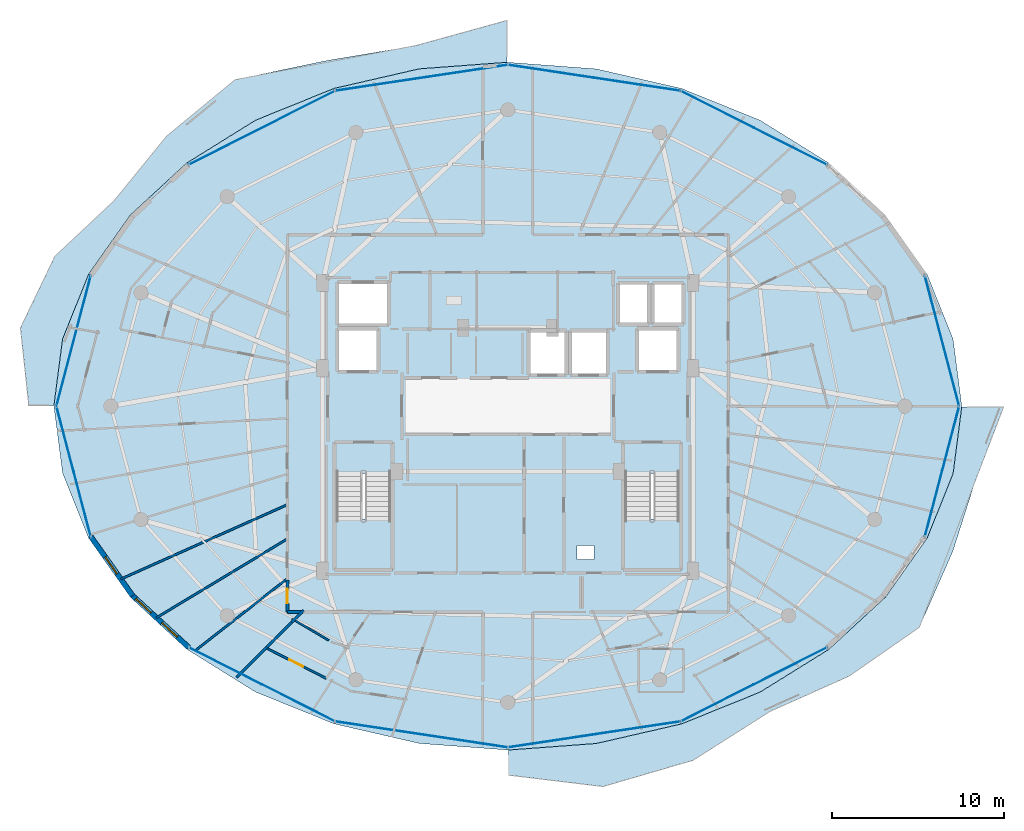
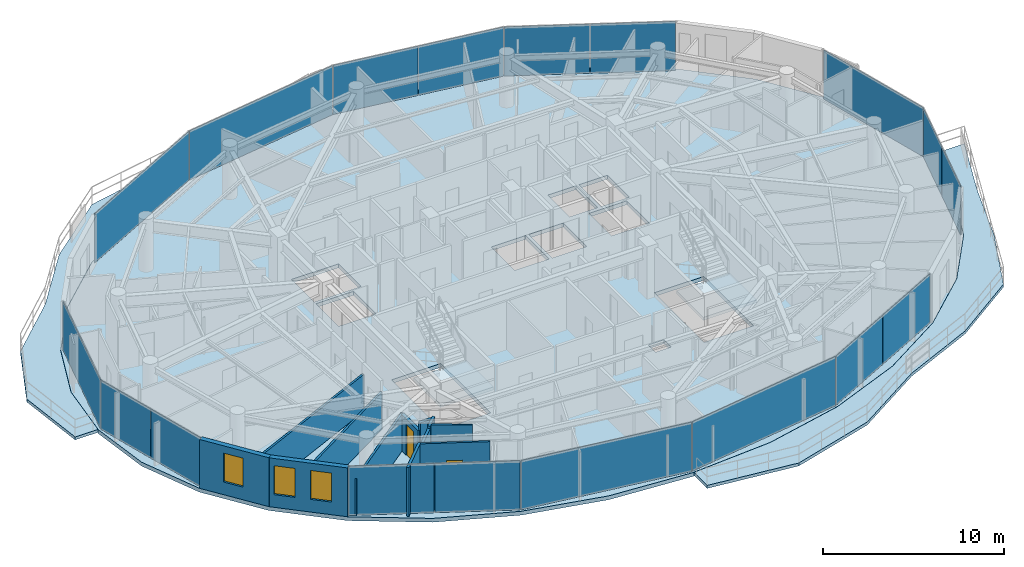
# One storey, part 20 of 30: 18 plates, 12 walls, 5 slabs, 3 windows, 2 doors, 5 openings, 6 elements without a shape of their own.
"""IFC4 building model written with IfcOpenShell, lengths in metres."""

import ifcopenshell
import ifcopenshell.guid

model = None  # the IFC model being written
_history = None  # IfcOwnerHistory: only IFC2X3 demands one
_inside = {}  # id of a spatial element -> (the spatial element, [elements in it])
_under = {}  # id of a project, library or spatial element -> (it, [spatial elements below it])
_declared = {}  # id of a project -> (the project, [libraries it declares])
_typed = {}  # id of a type object -> (the type object, [elements of that type])
_made_of = {}  # id of a material, layer set ... -> (it, [elements and type objects made of it])


def new_model(schema):
    """Start an empty IFC model of exactly this schema.

    Asked for "IFC4X3", IfcOpenShell would pick the latest addendum, in which some entities
    have other attributes; the version numbers below select the first issue.
    IFC2X3 requires an IfcOwnerHistory on every rooted entity: one is made here for all.
    """
    global model, _history
    if schema == "IFC4X3":
        model = ifcopenshell.file(schema_version=(4, 3, 0, 0))
    else:
        model = ifcopenshell.file(schema=schema)
    _inside.clear()
    _under.clear()
    _declared.clear()
    _typed.clear()
    _made_of.clear()
    _history = None
    if model.schema == "IFC2X3":
        org = make("IfcOrganization", Name="unknown")
        user = make(
            "IfcPersonAndOrganization",
            ThePerson=make("IfcPerson", FamilyName="unknown"),
            TheOrganization=org,
        )
        app = make(
            "IfcApplication",
            ApplicationDeveloper=org,
            Version="unknown",
            ApplicationFullName="unknown",
            ApplicationIdentifier="unknown",
        )
        _history = make(
            "IfcOwnerHistory",
            OwningUser=user,
            OwningApplication=app,
            ChangeAction="ADDED",
            CreationDate=0,
        )
    return model


def make(cls, **values):
    """One entity of the class cls with the attributes given. An attribute that is None is left unset."""
    return model.create_entity(
        cls, **{name: value for name, value in values.items() if value is not None}
    )


def rooted(cls, **values):
    """An entity with a GlobalId (a new one), such as an element, a storey or a relation."""
    return make(cls, GlobalId=ifcopenshell.guid.new(), OwnerHistory=_history, **values)


def si_unit(unit_type, name, prefix=None):
    """IfcSIUnit, for example si_unit("LENGTHUNIT", "METRE", prefix="MILLI")."""
    return make("IfcSIUnit", UnitType=unit_type, Prefix=prefix, Name=name)


def assignment(units):
    """IfcUnitAssignment: the units of a project."""
    return None if units is None else make("IfcUnitAssignment", Units=units)


def point(xyz):
    """IfcCartesianPoint."""
    return None if xyz is None else make("IfcCartesianPoint", Coordinates=xyz)


def direction(xyz):
    """IfcDirection."""
    return None if xyz is None else make("IfcDirection", DirectionRatios=xyz)


def frame(location, z_axis=None, x_axis=None):
    """IfcAxis2Placement3D, a coordinate frame: its origin and axes. An axis left out is left unset."""
    return make(
        "IfcAxis2Placement3D",
        Location=point(location),
        Axis=direction(z_axis),
        RefDirection=direction(x_axis),
    )


def frame_2d(location, x_axis=None):
    """IfcAxis2Placement2D, a coordinate frame in the plane: its origin and x axis."""
    return make(
        "IfcAxis2Placement2D", Location=point(location), RefDirection=direction(x_axis)
    )


def origin():
    """The frame at (0, 0, 0) with its axes left unset."""
    return frame((0.0, 0.0, 0.0))


def origin_2d():
    """The frame at (0, 0) in the plane with its x axis left unset."""
    return frame_2d((0.0, 0.0))


def place(relative_to, where):
    """IfcLocalPlacement: puts the frame where relative to a parent placement (None: the world)."""
    return make(
        "IfcLocalPlacement", PlacementRelTo=relative_to, RelativePlacement=where
    )


def context(
    kind, dimensions, precision=None, world=None, true_north=None, identifier=None
):
    """IfcGeometricRepresentationContext, for example the 3D "Model" context."""
    return make(
        "IfcGeometricRepresentationContext",
        ContextIdentifier=identifier,
        ContextType=kind,
        CoordinateSpaceDimension=dimensions,
        Precision=precision,
        WorldCoordinateSystem=world,
        TrueNorth=true_north,
    )


def subcontext(parent, identifier, kind, view, scale=None):
    """IfcGeometricRepresentationSubContext, for example "Body" below "Model"."""
    return make(
        "IfcGeometricRepresentationSubContext",
        ContextIdentifier=identifier,
        ContextType=kind,
        ParentContext=parent,
        TargetScale=scale,
        TargetView=view,
    )


def project(units=None, contexts=None):
    """IfcProject with its units and contexts."""
    return rooted(
        "IfcProject",
        Name="project",
        RepresentationContexts=contexts,
        UnitsInContext=assignment(units),
    )


def spatial(cls, under=None, at=None, **own):
    """A site, building, storey or space (cls), placed at a placement, below another one or the project."""
    s = rooted(cls, ObjectPlacement=at, **own)
    if under is not None:
        _under.setdefault(under.id(), (under, []))[1].append(s)
    return s


def polyline(points):
    """IfcPolyline through the points."""
    return make("IfcPolyline", Points=[point(p) for p in points])


def profile(cls, at=None, kind="AREA", **sizes):
    """A parametric profile (cls). Its sizes go by their IFC names, for example OverallWidth=200.0."""
    return make(cls, ProfileType=kind, Position=at, **sizes)


def rectangle(**sizes):
    """IfcRectangleProfileDef."""
    return profile("IfcRectangleProfileDef", **sizes)


def outline(outer, holes=None, kind="AREA"):
    """IfcArbitraryClosedProfileDef: a profile drawn as a closed curve; with holes, ...WithVoids."""
    if holes is None:
        return make("IfcArbitraryClosedProfileDef", ProfileType=kind, OuterCurve=outer)
    return make(
        "IfcArbitraryProfileDefWithVoids",
        ProfileType=kind,
        OuterCurve=outer,
        InnerCurves=holes,
    )


def extrude(swept, where, along, depth):
    """IfcExtrudedAreaSolid: the profile swept, set in the frame where, extruded along a direction by depth."""
    return make(
        "IfcExtrudedAreaSolid",
        SweptArea=swept,
        Position=where,
        ExtrudedDirection=direction(along),
        Depth=depth,
    )


def shape(context_of_items, identifier, shape_type, items):
    """IfcShapeRepresentation: the items that make up one representation, for example the "Body"."""
    return make(
        "IfcShapeRepresentation",
        ContextOfItems=context_of_items,
        RepresentationIdentifier=identifier,
        RepresentationType=shape_type,
        Items=items,
    )


def material(Name=None, Category=None):
    """IfcMaterial."""
    return make("IfcMaterial", Name=Name, Category=Category)


def layer(
    of_material, thickness, ventilated=None, Name=None, Category=None, Priority=None
):
    """IfcMaterialLayer: one layer of a wall or slab, of a material (None: an air gap)."""
    return make(
        "IfcMaterialLayer",
        Material=of_material,
        LayerThickness=thickness,
        IsVentilated=ventilated,
        Name=Name,
        Category=Category,
        Priority=Priority,
    )


def layer_set(layers, Name=None):
    """IfcMaterialLayerSet."""
    return make("IfcMaterialLayerSet", MaterialLayers=layers, LayerSetName=Name)


def made_of(thing, what):
    """Note that an element or type object is made of a material, layer set ...; save() writes the relation."""
    if what is not None:
        _made_of.setdefault(what.id(), (what, []))[1].append(thing)
    return thing


def type_object(cls, material=None, **own):
    """A type object (cls), such as IfcWallType, which elements share."""
    return made_of(rooted(cls, **own), material)


def element(
    cls,
    number,
    at=None,
    inside=None,
    cuts=None,
    type_object=None,
    material=None,
    context=None,
    identifier="Body",
    shape_type=None,
    held_by="IfcProductDefinitionShape",
    body=None,
    shapes=None,
    **own,
):
    """One element of the class cls, such as IfcWall. Its Tag is "e" and its number.

    at: its placement. inside: the storey or other place that contains it. cuts: it is an
    opening in that element (IfcRelVoidsElement). A single representation is given by context,
    identifier, shape_type and body (its items); several are given by shapes. held_by: the class
    of the entity that holds the representations. save() writes the other relations.
    """
    e = rooted(cls, Tag="e%d" % number, ObjectPlacement=at, **own)
    if body is not None:
        shapes = [shape(context, identifier, shape_type, body)]
    if shapes is not None:
        e.Representation = make(held_by, Representations=shapes)
    if inside is not None:
        _inside.setdefault(inside.id(), (inside, []))[1].append(e)
    if cuts is not None:
        rooted(
            "IfcRelVoidsElement", RelatingBuildingElement=cuts, RelatedOpeningElement=e
        )
    if type_object is not None:
        _typed.setdefault(type_object.id(), (type_object, []))[1].append(e)
    return made_of(e, material)


def fill(opening, filler):
    """IfcRelFillsElement: the door or window that sits in an opening."""
    return rooted(
        "IfcRelFillsElement",
        RelatingOpeningElement=opening,
        RelatedBuildingElement=filler,
    )


def aggregate(whole, parts):
    """IfcRelAggregates: a whole, such as a stair, and the parts it consists of."""
    return rooted("IfcRelAggregates", RelatingObject=whole, RelatedObjects=parts)


def save(model, path):
    """Write the relations noted so far, then the file.

    IfcRelAggregates (storeys below a building ...), IfcRelContainedInSpatialStructure (elements
    in a storey), IfcRelDefinesByType, IfcRelAssociatesMaterial and IfcRelDeclares: one each for
    every whole, place, type object, material and project.
    """
    for whole, parts in _under.values():
        aggregate(whole, parts)
    for where, things in _inside.values():
        rooted(
            "IfcRelContainedInSpatialStructure",
            RelatedElements=things,
            RelatingStructure=where,
        )
    for kind, things in _typed.values():
        rooted("IfcRelDefinesByType", RelatedObjects=things, RelatingType=kind)
    for what, things in _made_of.values():
        rooted("IfcRelAssociatesMaterial", RelatedObjects=things, RelatingMaterial=what)
    for by, libraries in _declared.values():
        rooted("IfcRelDeclares", RelatingContext=by, RelatedDefinitions=libraries)
    model.write(path)


model = new_model("IFC4")

# Units and contexts
model_context = context("Model", 3, precision=1e-05, world=origin(), true_north=direction((0.0, 1.0)))
body_context = subcontext(model_context, "Body", "Model", "MODEL_VIEW")
ifc_project = project(units=[si_unit("LENGTHUNIT", "METRE"), si_unit("AREAUNIT", "SQUARE_METRE"), si_unit("VOLUMEUNIT", "CUBIC_METRE"), si_unit("PLANEANGLEUNIT", "RADIAN"), si_unit("MASSUNIT", "GRAM", prefix="KILO")], contexts=[model_context])

# Site, building, storey
site_placement = place(None, origin())
site = spatial("IfcSite", under=ifc_project, at=site_placement, CompositionType="ELEMENT")
building_placement = place(site_placement, origin())
building = spatial("IfcBuilding", under=site, at=building_placement, Name="Vorneva Point Tower", CompositionType="ELEMENT")
storey_placement = place(building_placement, frame((0.0, 0.0, 262.64990234375)))
storey = spatial("IfcBuildingStorey", under=building, at=storey_placement, Name="L71", CompositionType="ELEMENT", Elevation=262.64990234375)

# Curtain wall, plates
ifc_material_1 = material(Name="Pale anodised aluminium", Category="aluminium")
curtain_wall_type = type_object("IfcCurtainWallType", Name="CW-RES-SYS", PredefinedType="NOTDEFINED", material=ifc_material_1)
curtain_wall_1_placement = place(storey_placement, origin())
curtain_wall_1 = element("IfcCurtainWall", 1, at=curtain_wall_1_placement, inside=storey, type_object=curtain_wall_type, Name="L71 Unitised Curtain Wall CW-L71-R01", PredefinedType="NOTDEFINED")
ifc_material_2 = material(Name="Double low-e laminated glass IGU", Category="glass")
ifc_layer_1 = layer(ifc_material_2, 0.035888671875)
ifc_layer_set_1 = layer_set([ifc_layer_1], Name="Double low-e laminated glass IGU")
plate_type = type_object("IfcPlateType", Name="CW-PNL-VIS", PredefinedType="CURTAIN_PANEL", material=ifc_layer_set_1)
plate_1_placement = place(storey_placement, frame((62.7041015625, 20.314208984375, -0.02001953125), z_axis=(0.0, 0.0, 1.0), x_axis=(0.254416284022, 0.967094801157, 0.0)))
plate_1 = element("IfcPlate", 2, at=plate_1_placement, type_object=plate_type, Name="CW-L71-R01 Glazed Panel 01A", PredefinedType="CURTAIN_PANEL", context=body_context, shape_type="SweptSolid", body=[
    extrude(rectangle(XDim=3.869384765625, YDim=0.035888671875, at=origin_2d()), origin(), (0.0, 0.0, 1.0), 3.330078125),
])
plate_2_placement = place(storey_placement, frame((63.701416015625, 24.104736328125, -0.02001953125), z_axis=(0.0, 0.0, 1.0), x_axis=(0.254416284022, 0.967094801157, 0.0)))
plate_2 = element("IfcPlate", 3, at=plate_2_placement, type_object=plate_type, Name="CW-L71-R01 Glazed Panel 01B", PredefinedType="CURTAIN_PANEL", context=body_context, shape_type="SweptSolid", body=[
    extrude(rectangle(XDim=3.869384765625, YDim=0.035888671875, at=origin_2d()), origin(), (0.0, 0.0, 1.0), 3.330078125),
])
plate_3_placement = place(storey_placement, frame((63.202880859375, 29.79052734375, -0.02001953125), z_axis=(0.0, 0.0, 1.0), x_axis=(-0.254416284022, 0.967094801157, 0.0)))
plate_3 = element("IfcPlate", 4, at=plate_3_placement, type_object=plate_type, Name="CW-L71-R01 Glazed Panel 02", PredefinedType="CURTAIN_PANEL", context=body_context, shape_type="SweptSolid", body=[
    extrude(rectangle(XDim=7.7890625, YDim=0.035888671875, at=origin_2d()), origin(), (0.0, 0.0, 1.0), 3.330078125),
])
aggregate(curtain_wall_1, [plate_1, plate_2, plate_3])

curtain_wall_2_placement = place(storey_placement, origin())
curtain_wall_2 = element("IfcCurtainWall", 5, at=curtain_wall_2_placement, inside=storey, type_object=curtain_wall_type, Name="L71 Unitised Curtain Wall CW-L71-R02", PredefinedType="NOTDEFINED")
plate_4_placement = place(storey_placement, frame((54.401123046875, 41.081298828125, -0.02001953125), z_axis=(0.0, 0.0, 1.0), x_axis=(-0.892554339087, 0.450939853836, 0.0)))
plate_4 = element("IfcPlate", 6, at=plate_4_placement, type_object=plate_type, Name="CW-L71-R02 Glazed Panel 01A", PredefinedType="CURTAIN_PANEL", context=body_context, shape_type="SweptSolid", body=[
    extrude(rectangle(XDim=4.71142578125, YDim=0.035888671875, at=origin_2d()), origin(), (0.0, 0.0, 1.0), 3.330078125),
])
plate_5_placement = place(storey_placement, frame((50.1513671875, 43.228515625, -0.02001953125), z_axis=(0.0, 0.0, 1.0), x_axis=(-0.892554339087, 0.450939853836, 0.0)))
plate_5 = element("IfcPlate", 7, at=plate_5_placement, type_object=plate_type, Name="CW-L71-R02 Glazed Panel 01B", PredefinedType="CURTAIN_PANEL", context=body_context, shape_type="SweptSolid", body=[
    extrude(rectangle(XDim=4.71142578125, YDim=0.035888671875, at=origin_2d()), origin(), (0.0, 0.0, 1.0), 3.330078125),
])
plate_6_placement = place(storey_placement, frame((45.519775390625, 44.67919921875, -0.02001953125), z_axis=(0.0, 0.0, 1.0), x_axis=(-0.988878712919, 0.148724211669, 0.0)))
plate_6 = element("IfcPlate", 8, at=plate_6_placement, type_object=plate_type, Name="CW-L71-R02 Glazed Panel 02A", PredefinedType="CURTAIN_PANEL", context=body_context, shape_type="SweptSolid", body=[
    extrude(rectangle(XDim=5.01953125, YDim=0.035888671875, at=origin_2d()), origin(), (0.0, 0.0, 1.0), 3.330078125),
])
plate_7_placement = place(storey_placement, frame((40.506591796875, 45.43310546875, -0.02001953125), z_axis=(0.0, 0.0, 1.0), x_axis=(-0.988878712919, 0.148724211669, 0.0)))
plate_7 = element("IfcPlate", 9, at=plate_7_placement, type_object=plate_type, Name="CW-L71-R02 Glazed Panel 02B", PredefinedType="CURTAIN_PANEL", context=body_context, shape_type="SweptSolid", body=[
    extrude(rectangle(XDim=5.01953125, YDim=0.035888671875, at=origin_2d()), origin(), (0.0, 0.0, 1.0), 3.330078125),
])
plate_8_placement = place(storey_placement, frame((32.98681640625, 45.055908203125, -0.02001953125), z_axis=(0.0, 0.0, 1.0), x_axis=(-0.988878712919, -0.148724211669, 0.0)))
plate_8 = element("IfcPlate", 10, at=plate_8_placement, type_object=plate_type, Name="CW-L71-R02 Glazed Panel 03", PredefinedType="CURTAIN_PANEL", context=body_context, shape_type="SweptSolid", body=[
    extrude(rectangle(XDim=10.089111328125, YDim=0.035888671875, at=origin_2d()), origin(), (0.0, 0.0, 1.0), 3.330078125),
])
plate_9_placement = place(storey_placement, frame((23.723876953125, 42.15478515625, -0.02001953125), z_axis=(0.0, 0.0, 1.0), x_axis=(-0.892554339087, -0.450939853836, 0.0)))
plate_9 = element("IfcPlate", 11, at=plate_9_placement, type_object=plate_type, Name="CW-L71-R02 Glazed Panel 04", PredefinedType="CURTAIN_PANEL", context=body_context, shape_type="SweptSolid", body=[
    extrude(rectangle(XDim=9.47314453125, YDim=0.035888671875, at=origin_2d()), origin(), (0.0, 0.0, 1.0), 3.330078125),
])
aggregate(curtain_wall_2, [plate_4, plate_5, plate_6, plate_7, plate_8, plate_9])

curtain_wall_3_placement = place(storey_placement, origin())
curtain_wall_3 = element("IfcCurtainWall", 12, at=curtain_wall_3_placement, inside=storey, type_object=curtain_wall_type, Name="L71 Unitised Curtain Wall CW-L71-R03", PredefinedType="NOTDEFINED")
plate_10_placement = place(storey_placement, frame((12.797119140625, 29.79052734375, -0.02001953125), z_axis=(0.0, 0.0, 1.0), x_axis=(-0.254416284022, -0.967094801157, 0.0)))
plate_10 = element("IfcPlate", 13, at=plate_10_placement, type_object=plate_type, Name="CW-L71-R03 Glazed Panel 01", PredefinedType="CURTAIN_PANEL", context=body_context, shape_type="SweptSolid", body=[
    extrude(rectangle(XDim=7.7890625, YDim=0.035888671875, at=origin_2d()), origin(), (0.0, 0.0, 1.0), 3.330078125),
])
plate_11_placement = place(storey_placement, frame((12.298583984375, 24.104736328125, -0.02001953125), z_axis=(0.0, 0.0, 1.0), x_axis=(0.254416284022, -0.967094801157, 0.0)))
plate_11 = element("IfcPlate", 14, at=plate_11_placement, type_object=plate_type, Name="CW-L71-R03 Glazed Panel 02A", PredefinedType="CURTAIN_PANEL", context=body_context, shape_type="SweptSolid", body=[
    extrude(rectangle(XDim=3.869384765625, YDim=0.035888671875, at=origin_2d()), origin(), (0.0, 0.0, 1.0), 3.330078125),
])
plate_12_placement = place(storey_placement, frame((13.2958984375, 20.314208984375, -0.02001953125), z_axis=(0.0, 0.0, 1.0), x_axis=(0.254416284022, -0.967094801157, 0.0)))
plate_12 = element("IfcPlate", 15, at=plate_12_placement, type_object=plate_type, Name="CW-L71-R03 Glazed Panel 02B", PredefinedType="CURTAIN_PANEL", context=body_context, shape_type="SweptSolid", body=[
    extrude(rectangle(XDim=3.869384765625, YDim=0.035888671875, at=origin_2d()), origin(), (0.0, 0.0, 1.0), 3.330078125),
])
aggregate(curtain_wall_3, [plate_10, plate_11, plate_12])

curtain_wall_4_placement = place(storey_placement, origin())
curtain_wall_4 = element("IfcCurtainWall", 16, at=curtain_wall_4_placement, inside=storey, type_object=curtain_wall_type, Name="L71 Unitised Curtain Wall CW-L71-R04", PredefinedType="NOTDEFINED")
plate_13_placement = place(storey_placement, frame((21.598876953125, 10.918701171875, -0.02001953125), z_axis=(0.0, 0.0, 1.0), x_axis=(0.892554339087, -0.450939853836, 0.0)))
plate_13 = element("IfcPlate", 17, at=plate_13_placement, type_object=plate_type, Name="CW-L71-R04 Glazed Panel 01A", PredefinedType="CURTAIN_PANEL", context=body_context, shape_type="SweptSolid", body=[
    extrude(rectangle(XDim=4.71142578125, YDim=0.035888671875, at=origin_2d()), origin(), (0.0, 0.0, 1.0), 3.330078125),
])
plate_14_placement = place(storey_placement, frame((25.8486328125, 8.771484375, -0.02001953125), z_axis=(0.0, 0.0, 1.0), x_axis=(0.892554339087, -0.450939853836, 0.0)))
plate_14 = element("IfcPlate", 18, at=plate_14_placement, type_object=plate_type, Name="CW-L71-R04 Glazed Panel 01B", PredefinedType="CURTAIN_PANEL", context=body_context, shape_type="SweptSolid", body=[
    extrude(rectangle(XDim=4.71142578125, YDim=0.035888671875, at=origin_2d()), origin(), (0.0, 0.0, 1.0), 3.330078125),
])
plate_15_placement = place(storey_placement, frame((32.98681640625, 6.944091796875, -0.02001953125), z_axis=(0.0, 0.0, 1.0), x_axis=(0.988878712919, -0.148724211669, 0.0)))
plate_15 = element("IfcPlate", 19, at=plate_15_placement, type_object=plate_type, Name="CW-L71-R04 Glazed Panel 02", PredefinedType="CURTAIN_PANEL", context=body_context, shape_type="SweptSolid", body=[
    extrude(rectangle(XDim=10.089111328125, YDim=0.035888671875, at=origin_2d()), origin(), (0.0, 0.0, 1.0), 3.330078125),
])
plate_16_placement = place(storey_placement, frame((43.01318359375, 6.944091796875, -0.02001953125), z_axis=(0.0, 0.0, 1.0), x_axis=(0.988878712919, 0.148724211669, 0.0)))
plate_16 = element("IfcPlate", 20, at=plate_16_placement, type_object=plate_type, Name="CW-L71-R04 Glazed Panel 03", PredefinedType="CURTAIN_PANEL", context=body_context, shape_type="SweptSolid", body=[
    extrude(rectangle(XDim=10.089111328125, YDim=0.035888671875, at=origin_2d()), origin(), (0.0, 0.0, 1.0), 3.330078125),
])
plate_17_placement = place(storey_placement, frame((50.1513671875, 8.771484375, -0.02001953125), z_axis=(0.0, 0.0, 1.0), x_axis=(0.892554339087, 0.450939853836, 0.0)))
plate_17 = element("IfcPlate", 21, at=plate_17_placement, type_object=plate_type, Name="CW-L71-R04 Glazed Panel 04A", PredefinedType="CURTAIN_PANEL", context=body_context, shape_type="SweptSolid", body=[
    extrude(rectangle(XDim=4.71142578125, YDim=0.035888671875, at=origin_2d()), origin(), (0.0, 0.0, 1.0), 3.330078125),
])
plate_18_placement = place(storey_placement, frame((54.401123046875, 10.918701171875, -0.02001953125), z_axis=(0.0, 0.0, 1.0), x_axis=(0.892554339087, 0.450939853836, 0.0)))
plate_18 = element("IfcPlate", 22, at=plate_18_placement, type_object=plate_type, Name="CW-L71-R04 Glazed Panel 04B", PredefinedType="CURTAIN_PANEL", context=body_context, shape_type="SweptSolid", body=[
    extrude(rectangle(XDim=4.71142578125, YDim=0.035888671875, at=origin_2d()), origin(), (0.0, 0.0, 1.0), 3.330078125),
])
aggregate(curtain_wall_4, [plate_13, plate_14, plate_15, plate_16, plate_17, plate_18])

# Slabs
ifc_material_3 = material(Name="Concrete B50 (C40/50)", Category="concrete")
ifc_layer_2 = layer(ifc_material_3, 0.199951171875)
ifc_layer_set_2 = layer_set([ifc_layer_2], Name="Concrete B50 (C40/50)")
slab_type_1 = type_object("IfcSlabType", Name="SLB-BAL-200", PredefinedType="FLOOR", material=ifc_layer_set_2)
slab_1_placement = place(storey_placement, frame((0.0, 0.0, -0.199951171875)))
element("IfcSlab", 23, at=slab_1_placement, inside=storey, type_object=slab_type_1, Name="L71 Cantilevered Wave Balcony NW", PredefinedType="FLOOR", context=body_context, shape_type="SweptSolid", body=[
    extrude(outline(polyline([(10.189697265625, 26.050048828125), (11.652587890625, 26.050048828125), (12.15234375, 29.89453125), (12.15234375, 29.894775390625), (12.152587890625, 29.895263671875), (12.152587890625, 29.8955078125), (13.652099609375, 33.639892578125), (13.65234375, 33.640380859375), (13.652587890625, 33.640625), (16.08740234375, 37.091552734375), (16.087890625, 37.091796875), (16.088134765625, 37.092041015625), (19.364990234375, 40.11669921875), (19.365234375, 40.1171875), (19.365478515625, 40.1171875), (23.358642578125, 42.599609375), (23.35888671875, 42.599609375), (23.359130859375, 42.599853515625), (27.914794921875, 44.4443359375), (27.9150390625, 44.4443359375), (27.915283203125, 44.444580078125), (32.8583984375, 45.580322265625), (32.85888671875, 45.58056640625), (32.859130859375, 45.58056640625), (37.949951171875, 45.960205078125), (37.949951171875, 48.39111328125), (32.655517578125, 46.92919921875), (27.41259765625, 46.045654296875), (22.170166015625, 44.948486328125), (18.190185546875, 41.668212890625), (15.143310546875, 37.925048828125), (11.709716796875, 34.702392578125), (9.707275390625, 30.537109375), (10.189697265625, 26.050048828125)])), origin(), (0.0, 0.0, 1.0), 0.199951171875),
])
slab_2_placement = place(storey_placement, frame((0.0, 0.0, -0.199951171875)))
element("IfcSlab", 24, at=slab_2_placement, inside=storey, type_object=slab_type_1, Name="L71 Cantilevered Wave Balcony SE", PredefinedType="FLOOR", context=body_context, shape_type="SweptSolid", body=[
    extrude(outline(polyline([(65.166748046875, 21.758544921875), (66.77587890625, 25.949951171875), (64.347412109375, 25.949951171875), (63.84765625, 22.10546875), (63.84765625, 22.105224609375), (63.847412109375, 22.104736328125), (63.847412109375, 22.1044921875), (62.347900390625, 18.360107421875), (62.34765625, 18.359619140625), (62.347412109375, 18.359375), (59.91259765625, 14.908447265625), (59.912109375, 14.908203125), (59.911865234375, 14.907958984375), (56.635009765625, 11.88330078125), (56.634765625, 11.8828125), (56.634521484375, 11.8828125), (52.641357421875, 9.400390625), (52.64111328125, 9.400390625), (52.640869140625, 9.400146484375), (48.085205078125, 7.5556640625), (48.0849609375, 7.5556640625), (48.084716796875, 7.555419921875), (43.1416015625, 6.419677734375), (43.14111328125, 6.41943359375), (43.140869140625, 6.41943359375), (38.050048828125, 6.039794921875), (38.050048828125, 4.5791015625), (43.517822265625, 3.919921875), (48.747802734375, 5.443115234375), (53.209716796875, 8.276611328125), (57.809814453125, 10.331787109375), (61.886474609375, 13.166748046875), (63.820068359375, 17.5546875), (65.166748046875, 21.758544921875)])), origin(), (0.0, 0.0, 1.0), 0.199951171875),
])

# Stair, slab
stair_type = type_object("IfcStairType", Name="ST-DOG-1500", PredefinedType="HALF_TURN_STAIR", material=ifc_material_3)
stair_1_placement = place(storey_placement, origin())
stair_1 = element("IfcStair", 25, at=stair_1_placement, inside=storey, type_object=stair_type, Name="L71 ST1", PredefinedType="HALF_TURN_STAIR")
ifc_layer_3 = layer(ifc_material_3, 0.199951171875)
ifc_layer_set_3 = layer_set([ifc_layer_3], Name="Concrete B50 (C40/50)")
slab_type_2 = type_object("IfcSlabType", Name="SLB-LND-200", PredefinedType="LANDING", material=ifc_layer_set_3)
slab_3_placement = place(storey_placement, frame((0.0, 0.0, 1.5751953125)))
slab_3 = element("IfcSlab", 26, at=slab_3_placement, type_object=slab_type_2, Name="ST1 landing 1", PredefinedType="LANDING", context=body_context, shape_type="SweptSolid", body=[
    extrude(outline(polyline([(27.929931640625, 16.47998046875), (31.320068359375, 16.47998046875), (31.320068359375, 19.43994140625), (27.929931640625, 19.43994140625), (27.929931640625, 16.47998046875)])), origin(), (0.0, 0.0, 1.0), 0.199951171875),
])
aggregate(stair_1, [slab_3])

stair_2_placement = place(storey_placement, origin())
stair_2 = element("IfcStair", 27, at=stair_2_placement, inside=storey, type_object=stair_type, Name="L71 ST2", PredefinedType="HALF_TURN_STAIR")
slab_4_placement = place(storey_placement, frame((0.0, 0.0, 1.5751953125)))
slab_4 = element("IfcSlab", 28, at=slab_4_placement, type_object=slab_type_2, Name="ST2 landing 1", PredefinedType="LANDING", context=body_context, shape_type="SweptSolid", body=[
    extrude(outline(polyline([(44.679931640625, 16.47998046875), (48.070068359375, 16.47998046875), (48.070068359375, 19.43994140625), (44.679931640625, 19.43994140625), (44.679931640625, 16.47998046875)])), origin(), (0.0, 0.0, 1.0), 0.199951171875),
])
aggregate(stair_2, [slab_4])

# Slab
ifc_layer_4 = layer(ifc_material_3, 0.260009765625)
ifc_layer_set_4 = layer_set([ifc_layer_4], Name="Concrete B50 (C40/50)")
slab_type_3 = type_object("IfcSlabType", Name="SLB-TYP-260", PredefinedType="FLOOR", material=ifc_layer_set_4)
slab_5_placement = place(storey_placement, frame((0.0, 0.0, -0.260009765625)))
element("IfcSlab", 29, at=slab_5_placement, inside=storey, type_object=slab_type_3, Name="L71 Structural Floor Plate", PredefinedType="FLOOR", context=body_context, shape_type="SweptSolid", body=[
    extrude(outline(polyline([(64.35009765625, 26.0), (63.84375, 29.89404296875), (62.34423828125, 33.638427734375), (59.9091796875, 37.089111328125), (56.63232421875, 40.114013671875), (52.639404296875, 42.59619140625), (48.083740234375, 44.440673828125), (43.140625, 45.576416015625), (38.0, 45.9599609375), (32.859375, 45.576416015625), (27.916259765625, 44.440673828125), (23.360595703125, 42.59619140625), (19.36767578125, 40.114013671875), (16.0908203125, 37.089111328125), (13.65576171875, 33.638427734375), (12.15625, 29.89404296875), (11.64990234375, 26.0), (12.15625, 22.10595703125), (13.65576171875, 18.361572265625), (16.0908203125, 14.910888671875), (19.36767578125, 11.885986328125), (23.360595703125, 9.40380859375), (27.916259765625, 7.559326171875), (32.859375, 6.423583984375), (38.0, 6.0400390625), (43.140625, 6.423583984375), (48.083740234375, 7.559326171875), (52.639404296875, 9.40380859375), (56.63232421875, 11.885986328125), (59.9091796875, 14.910888671875), (62.34423828125, 18.361572265625), (63.84375, 22.10595703125), (64.35009765625, 26.0)]), holes=[polyline([(39.199951171875, 27.800048828125), (41.39990234375, 27.800048828125), (41.39990234375, 30.39990234375), (39.199951171875, 30.39990234375), (39.199951171875, 27.800048828125)]), polyline([(41.60009765625, 27.800048828125), (43.800048828125, 27.800048828125), (43.800048828125, 30.39990234375), (41.60009765625, 30.39990234375), (41.60009765625, 27.800048828125)]), polyline([(44.39990234375, 30.739990234375), (46.199951171875, 30.739990234375), (46.199951171875, 33.159912109375), (44.39990234375, 33.159912109375), (44.39990234375, 30.739990234375)]), polyline([(46.39990234375, 30.739990234375), (48.199951171875, 30.739990234375), (48.199951171875, 33.159912109375), (46.39990234375, 33.159912109375), (46.39990234375, 30.739990234375)]), polyline([(28.10009765625, 28.0), (30.5, 28.0), (30.5, 30.5), (28.10009765625, 30.5), (28.10009765625, 28.0)]), polyline([(45.5, 28.0), (47.89990234375, 28.0), (47.89990234375, 30.5), (45.5, 30.5), (45.5, 28.0)]), polyline([(28.10009765625, 30.699951171875), (31.10009765625, 30.699951171875), (31.10009765625, 33.199951171875), (28.10009765625, 33.199951171875), (28.10009765625, 30.699951171875)]), polyline([(28.050048828125, 16.60009765625), (31.199951171875, 16.60009765625), (31.199951171875, 22.080078125), (28.050048828125, 22.080078125), (28.050048828125, 16.60009765625)]), polyline([(44.800048828125, 16.60009765625), (47.949951171875, 16.60009765625), (47.949951171875, 22.080078125), (44.800048828125, 22.080078125), (44.800048828125, 16.60009765625)]), polyline([(42.0, 17.10009765625), (43.0, 17.10009765625), (43.0, 17.89990234375), (42.0, 17.89990234375), (42.0, 17.10009765625)])]), origin(), (0.0, 0.0, 1.0), 0.260009765625),
])

# Wall, opening, window
ifc_material_4 = material(Name="Precast concrete B50 (C40/50)", Category="concrete")
ifc_layer_5 = layer(ifc_material_4, 0.300048828125)
ifc_layer_set_5 = layer_set([ifc_layer_5], Name="Precast concrete B50 (C40/50)")
wall_type_1 = type_object("IfcWallType", Name="WL-EXT-300", PredefinedType="STANDARD", material=ifc_layer_set_5)
wall_1_placement = place(storey_placement, frame((13.79443359375, 18.4189453125, 0.0), z_axis=(0.0, 0.0, 1.0), x_axis=(0.577261247247, -0.816559521668, 0.0)))
wall_1 = element("IfcWall", 30, at=wall_1_placement, inside=storey, type_object=wall_type_1, Name="L71 Pale-Metal Facade Spandrel Wall 10.1", PredefinedType="STANDARD", context=body_context, shape_type="SweptSolid", body=[
    extrude(rectangle(XDim=4.194091796875, YDim=0.300048828125, at=frame_2d((2.09716796875, 0.0))), origin(), (0.0, 0.0, 1.0), 3.2900390625),
])
opening_1_placement = place(wall_1_placement, frame((1.43798828125, 0.0, 0.85009765625)))
opening_1 = element("IfcOpeningElement", 31, at=opening_1_placement, cuts=wall_1, Name="Opening W-04", PredefinedType="OPENING", context=body_context, shape_type="SweptSolid", body=[
    extrude(rectangle(XDim=1.199951171875, YDim=1.949951171875, at=frame_2d((0.60009765625, 0.97509765625))), frame((0.0, 0.1650390625, 0.0), z_axis=(0.0, -1.0, 0.0), x_axis=(1.0, 0.0, 0.0)), (0.0, 0.0, 1.0), 0.329833984375),
])
window_type = type_object("IfcWindowType", Name="WN-RES-1200", PartitioningType="SINGLE_PANEL", PredefinedType="WINDOW", material=ifc_material_2)
window_1_placement = place(opening_1_placement, origin())
window_1 = element("IfcWindow", 32, at=window_1_placement, inside=storey, type_object=window_type, Name="L71 Dwelling Vision Window 01", OverallHeight=1.949951171875, OverallWidth=1.199951171875, PartitioningType="SINGLE_PANEL", PredefinedType="WINDOW", context=body_context, shape_type="SweptSolid", body=[
    extrude(rectangle(XDim=1.199951171875, YDim=1.949951171875, at=frame_2d((0.60009765625, 0.97509765625))), frame((0.0, 0.030029296875, 0.0), z_axis=(0.0, -1.0, 0.0), x_axis=(1.0, 0.0, 0.0)), (0.0, 0.0, 1.0), 0.06005859375),
])
fill(opening_1, window_1)

# Wall, openings, windows
wall_2_placement = place(storey_placement, frame((16.215576171875, 14.994140625, 0.0), z_axis=(0.0, 0.0, 1.0), x_axis=(0.735445373611, -0.677584018727, 0.0)))
wall_2 = element("IfcWall", 33, at=wall_2_placement, inside=storey, type_object=wall_type_1, Name="L71 Pale-Metal Facade Spandrel Wall 10.2", PredefinedType="STANDARD", context=body_context, shape_type="SweptSolid", body=[
    extrude(rectangle(XDim=4.430419921875, YDim=0.300048828125, at=frame_2d((2.21533203125, 0.0))), origin(), (0.0, 0.0, 1.0), 3.2900390625),
])
opening_2_placement = place(wall_2_placement, frame((0.258056640625, 0.0, 0.85009765625)))
opening_2 = element("IfcOpeningElement", 34, at=opening_2_placement, cuts=wall_2, Name="Opening W-04", PredefinedType="OPENING", context=body_context, shape_type="SweptSolid", body=[
    extrude(rectangle(XDim=1.199951171875, YDim=1.949951171875, at=frame_2d((0.60009765625, 0.97509765625))), frame((0.0, 0.1650390625, 0.0), z_axis=(0.0, -1.0, 0.0), x_axis=(1.0, 0.0, 0.0)), (0.0, 0.0, 1.0), 0.329833984375),
])
opening_3_placement = place(wall_2_placement, frame((2.3232421875, 0.0, 0.85009765625)))
opening_3 = element("IfcOpeningElement", 35, at=opening_3_placement, cuts=wall_2, Name="Opening W-04", PredefinedType="OPENING", context=body_context, shape_type="SweptSolid", body=[
    extrude(rectangle(XDim=1.199951171875, YDim=1.949951171875, at=frame_2d((0.60009765625, 0.97509765625))), frame((0.0, 0.1650390625, 0.0), z_axis=(0.0, -1.0, 0.0), x_axis=(1.0, 0.0, 0.0)), (0.0, 0.0, 1.0), 0.329833984375),
])
window_2_placement = place(opening_2_placement, origin())
window_2 = element("IfcWindow", 36, at=window_2_placement, inside=storey, type_object=window_type, Name="L71 Dwelling Vision Window 02", OverallHeight=1.949951171875, OverallWidth=1.199951171875, PartitioningType="SINGLE_PANEL", PredefinedType="WINDOW", context=body_context, shape_type="SweptSolid", body=[
    extrude(rectangle(XDim=1.199951171875, YDim=1.949951171875, at=frame_2d((0.60009765625, 0.97509765625))), frame((0.0, 0.030029296875, 0.0), z_axis=(0.0, -1.0, 0.0), x_axis=(1.0, 0.0, 0.0)), (0.0, 0.0, 1.0), 0.06005859375),
])
fill(opening_2, window_2)
window_3_placement = place(opening_3_placement, origin())
window_3 = element("IfcWindow", 37, at=window_3_placement, inside=storey, type_object=window_type, Name="L71 Dwelling Vision Window 03", OverallHeight=1.949951171875, OverallWidth=1.199951171875, PartitioningType="SINGLE_PANEL", PredefinedType="WINDOW", context=body_context, shape_type="SweptSolid", body=[
    extrude(rectangle(XDim=1.199951171875, YDim=1.949951171875, at=frame_2d((0.60009765625, 0.97509765625))), frame((0.0, 0.030029296875, 0.0), z_axis=(0.0, -1.0, 0.0), x_axis=(1.0, 0.0, 0.0)), (0.0, 0.0, 1.0), 0.06005859375),
])
fill(opening_3, window_3)

# Walls
ifc_material_5 = material(Name="Fire-rated acoustic gypsum stud partition", Category="gypsum")
ifc_layer_6 = layer(ifc_material_5, 0.110107421875)
ifc_layer_set_6 = layer_set([ifc_layer_6], Name="Fire-rated acoustic gypsum stud partition")
wall_type_2 = type_object("IfcWallType", Name="WL-PART-110", PredefinedType="PARTITIONING", material=ifc_layer_set_6)
wall_3_placement = place(storey_placement, frame((25.472412109375, 13.664306640625, 0.0), z_axis=(0.0, 0.0, 1.0), x_axis=(0.860546797705, -0.509371386082, 0.0)))
element("IfcWall", 38, at=wall_3_placement, inside=storey, type_object=wall_type_2, Name="L71 Interior Partition 102", PredefinedType="PARTITIONING", context=body_context, shape_type="SweptSolid", body=[
    extrude(rectangle(XDim=2.484619140625, YDim=0.110107421875, at=frame_2d((1.2421875, 0.0))), origin(), (0.0, 0.0, 1.0), 3.022216796875),
])
ifc_layer_7 = layer(ifc_material_5, 0.125)
ifc_layer_set_7 = layer_set([ifc_layer_7], Name="Fire-rated acoustic gypsum stud partition")
wall_type_3 = type_object("IfcWallType", Name="WL-PART-125", PredefinedType="PARTITIONING", material=ifc_layer_set_7)
wall_4_placement = place(storey_placement, frame((15.532958984375, 15.9619140625, 0.0), z_axis=(0.0, 0.0, 1.0), x_axis=(0.913015836792, 0.407924112756, 0.0)))
element("IfcWall", 39, at=wall_4_placement, inside=storey, type_object=wall_type_3, Name="L71 Interior Partition 089", PredefinedType="PARTITIONING", context=body_context, shape_type="SweptSolid", body=[
    extrude(rectangle(XDim=10.587890625, YDim=0.125, at=frame_2d((5.2939453125, 0.0))), origin(), (0.0, 0.0, 1.0), 2.482177734375),
])
wall_5_placement = place(storey_placement, frame((17.60205078125, 13.719970703125, 0.0), z_axis=(0.0, 0.0, 1.0), x_axis=(0.856734134601, 0.515758298633, 0.0)))
element("IfcWall", 40, at=wall_5_placement, inside=storey, type_object=wall_type_3, Name="L71 Interior Partition 090", PredefinedType="PARTITIONING", context=body_context, shape_type="SweptSolid", body=[
    extrude(rectangle(XDim=8.868408203125, YDim=0.125, at=frame_2d((4.43408203125, 0.0))), origin(), (0.0, 0.0, 1.0), 2.482177734375),
])
wall_6_placement = place(storey_placement, frame((19.819091796875, 11.781982421875, 0.0), z_axis=(0.0, 0.0, 1.0), x_axis=(0.78765580417, 0.61611552014, 0.0)))
element("IfcWall", 41, at=wall_6_placement, inside=storey, type_object=wall_type_3, Name="L71 Interior Partition 091", PredefinedType="PARTITIONING", context=body_context, shape_type="SweptSolid", body=[
    extrude(rectangle(XDim=6.83154296875, YDim=0.125, at=frame_2d((3.415771484375, 0.0))), origin(), (0.0, 0.0, 1.0), 2.482177734375),
])

# Wall, opening, door
wall_7_placement = place(storey_placement, frame((27.458984375, 10.202880859375, 0.0), z_axis=(0.0, 0.0, 1.0), x_axis=(-0.892559828496, 0.450928988374, 0.0)))
wall_7 = element("IfcWall", 42, at=wall_7_placement, inside=storey, type_object=wall_type_3, Name="L71 Interior Partition 099", PredefinedType="PARTITIONING", context=body_context, shape_type="SweptSolid", body=[
    extrude(rectangle(XDim=3.912353515625, YDim=0.125, at=frame_2d((1.9560546875, 0.0))), origin(), (0.0, 0.0, 1.0), 3.2900390625),
])
opening_4_placement = place(wall_7_placement, frame((1.506103515625, 0.0, 0.0)))
opening_4 = element("IfcOpeningElement", 43, at=opening_4_placement, cuts=wall_7, Name="Opening ID-01", PredefinedType="OPENING", context=body_context, shape_type="SweptSolid", body=[
    extrude(rectangle(XDim=0.89990234375, YDim=2.10009765625, at=frame_2d((0.449951171875, 1.050048828125))), frame((0.0, 0.077392578125, 0.0), z_axis=(0.0, -1.0, 0.0), x_axis=(1.0, 0.0, 0.0)), (0.0, 0.0, 1.0), 0.15478515625),
])
ifc_material_6 = material(Name="Engineered oak fire-rated door leaf", Category="wood")
door_type_1 = type_object("IfcDoorType", Name="DR-ROOM-900", OperationType="NOTDEFINED", PredefinedType="DOOR", material=ifc_material_6)
door_1_placement = place(opening_4_placement, origin())
door_1 = element("IfcDoor", 44, at=door_1_placement, inside=storey, type_object=door_type_1, Name="L71 Door Living and Dining Room L71-02 / Study Room L71-02", OperationType="SINGLE_SWING_RIGHT", OverallHeight=2.10009765625, OverallWidth=0.89990234375, PredefinedType="DOOR", context=body_context, shape_type="SweptSolid", body=[
    extrude(rectangle(XDim=0.89990234375, YDim=2.10009765625, at=frame_2d((0.449951171875, 1.050048828125))), frame((0.0, 0.02490234375, 0.0), z_axis=(0.0, -1.0, 0.0), x_axis=(1.0, 0.0, 0.0)), (0.0, 0.0, 1.0), 0.050048828125),
])
fill(opening_4, door_1)

# Walls
ifc_layer_8 = layer(ifc_material_5, 0.159912109375)
ifc_layer_set_8 = layer_set([ifc_layer_8], Name="Fire-rated acoustic gypsum stud partition")
wall_type_4 = type_object("IfcWallType", Name="WL-PART-160", PredefinedType="PARTITIONING", material=ifc_layer_set_8)
wall_8_placement = place(storey_placement, frame((22.262939453125, 10.262939453125, 0.0), z_axis=(0.0, 0.0, 1.0), x_axis=(0.707106781187, 0.707106781187, 0.0)))
element("IfcWall", 45, at=wall_8_placement, inside=storey, type_object=wall_type_4, Name="L71 Interior Partition 092", PredefinedType="PARTITIONING", context=body_context, shape_type="SweptSolid", body=[
    extrude(rectangle(XDim=2.473388671875, YDim=0.159912109375, at=frame_2d((1.23681640625, 0.0))), origin(), (0.0, 0.0, 1.0), 3.2900390625),
])
wall_9_placement = place(storey_placement, frame((25.451904296875, 13.451904296875, 0.0), z_axis=(0.0, 0.0, 1.0), x_axis=(0.707106781187, 0.707106781187, 0.0)))
element("IfcWall", 46, at=wall_9_placement, inside=storey, type_object=wall_type_4, Name="L71 Interior Partition 093", PredefinedType="PARTITIONING", context=body_context, shape_type="SweptSolid", body=[
    extrude(rectangle(XDim=0.98583984375, YDim=0.159912109375, at=frame_2d((0.492919921875, 0.0))), origin(), (0.0, 0.0, 1.0), 3.022216796875),
])
wall_10_placement = place(storey_placement, frame((24.011962890625, 12.011962890625, 0.0), z_axis=(0.0, 0.0, 1.0), x_axis=(0.707106781187, 0.707106781187, 0.0)))
element("IfcWall", 47, at=wall_10_placement, inside=storey, type_object=wall_type_4, Name="L71 Interior Partition 094", PredefinedType="PARTITIONING", context=body_context, shape_type="SweptSolid", body=[
    extrude(rectangle(XDim=2.036376953125, YDim=0.159912109375, at=frame_2d((1.01806640625, 0.0))), origin(), (0.0, 0.0, 1.0), 2.8740234375),
])

# Wall, opening, door
ifc_material_7 = material(Name="Autoclaved aerated concrete blockwork", Category="masonry")
ifc_layer_9 = layer(ifc_material_7, 0.179931640625)
ifc_layer_set_9 = layer_set([ifc_layer_9], Name="Autoclaved aerated concrete blockwork")
wall_type_5 = type_object("IfcWallType", Name="WL-PART-180", PredefinedType="PARTITIONING", material=ifc_layer_set_9)
wall_11_placement = place(storey_placement, frame((25.199951171875, 15.9150390625, 0.0), z_axis=(0.0, 0.0, 1.0), x_axis=(0.0, -1.0, 0.0)))
wall_11 = element("IfcWall", 48, at=wall_11_placement, inside=storey, type_object=wall_type_5, Name="L71 Interior Partition 040", PredefinedType="PARTITIONING", context=body_context, shape_type="SweptSolid", body=[
    extrude(rectangle(XDim=1.864990234375, YDim=0.179931640625, at=frame_2d((0.9326171875, 0.0))), origin(), (0.0, 0.0, 1.0), 2.482177734375),
])
opening_5_placement = place(wall_11_placement, frame((0.507568359375, 0.0, 0.0)))
opening_5 = element("IfcOpeningElement", 49, at=opening_5_placement, cuts=wall_11, Name="Opening ID-02", PredefinedType="OPENING", context=body_context, shape_type="SweptSolid", body=[
    extrude(rectangle(XDim=0.85009765625, YDim=2.10009765625, at=frame_2d((0.425048828125, 1.050048828125))), frame((0.0, 0.10498046875, 0.0), z_axis=(0.0, -1.0, 0.0), x_axis=(1.0, 0.0, 0.0)), (0.0, 0.0, 1.0), 0.209716796875),
])
door_type_2 = type_object("IfcDoorType", Name="DR-BATH-850", OperationType="NOTDEFINED", PredefinedType="DOOR", material=ifc_material_6)
door_2_placement = place(opening_5_placement, origin())
door_2 = element("IfcDoor", 50, at=door_2_placement, inside=storey, type_object=door_type_2, Name="L71 Access Door L71 Circulation Corridor", OperationType="SINGLE_SWING_RIGHT", OverallHeight=2.10009765625, OverallWidth=0.85009765625, PredefinedType="DOOR", context=body_context, shape_type="SweptSolid", body=[
    extrude(rectangle(XDim=0.85009765625, YDim=2.10009765625, at=frame_2d((0.425048828125, 1.050048828125))), frame((0.0, 0.02490234375, 0.0), z_axis=(0.0, -1.0, 0.0), x_axis=(1.0, 0.0, 0.0)), (0.0, 0.0, 1.0), 0.050048828125),
])
fill(opening_5, door_2)

# Wall
wall_12_placement = place(storey_placement, frame((25.199951171875, 14.050048828125, 0.0), z_axis=(0.0, 0.0, 1.0), x_axis=(1.0, 0.0, 0.0)))
element("IfcWall", 51, at=wall_12_placement, inside=storey, type_object=wall_type_5, Name="L71 Interior Partition 041", PredefinedType="PARTITIONING", context=body_context, shape_type="SweptSolid", body=[
    extrude(rectangle(XDim=0.91015625, YDim=0.179931640625, at=frame_2d((0.455078125, 0.0))), origin(), (0.0, 0.0, 1.0), 3.022216796875),
])

save(model, "model.ifc")
